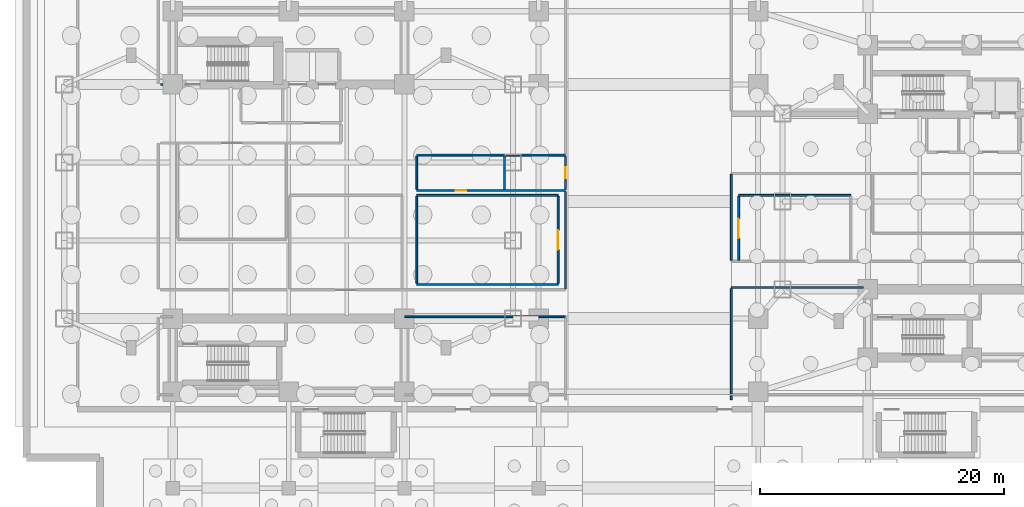
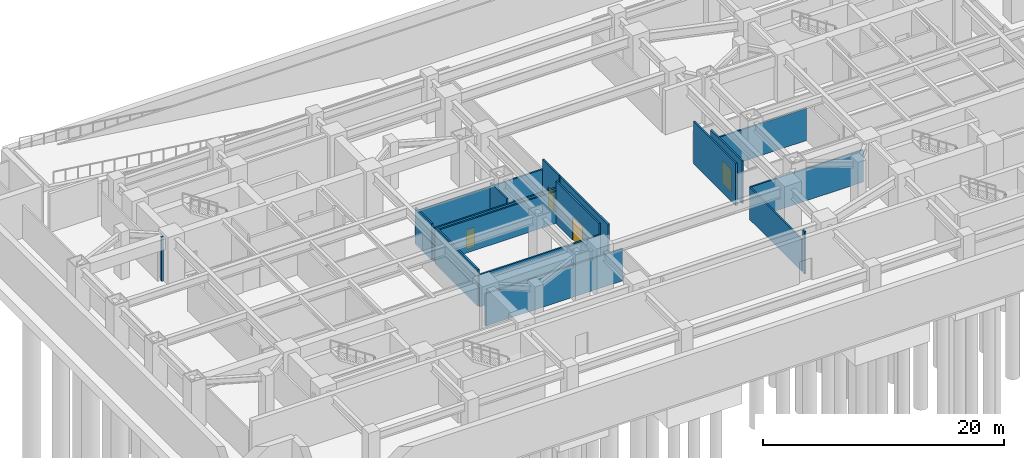
# One storey, part 7 of 16: 18 walls, 4 doors, 4 openings.
"""IFC4 building model written with IfcOpenShell, lengths in metres."""

from ifc_helpers import new_model, si_unit, direction, frame, frame_2d, origin, place, context, subcontext, project, spatial, rectangle, extrude, material, layer, layer_set, type_object, element, fill, save


model = new_model("IFC4")

# Units and contexts
model_context = context("Model", 3, precision=1e-05, world=origin(), true_north=direction((0.0, 1.0)))
body_context = subcontext(model_context, "Body", "Model", "MODEL_VIEW")
ifc_project = project(units=[si_unit("LENGTHUNIT", "METRE"), si_unit("AREAUNIT", "SQUARE_METRE"), si_unit("VOLUMEUNIT", "CUBIC_METRE"), si_unit("PLANEANGLEUNIT", "RADIAN"), si_unit("MASSUNIT", "GRAM", prefix="KILO")], contexts=[model_context])

# Site, building, storey
site_placement = place(None, origin())
site = spatial("IfcSite", under=ifc_project, at=site_placement, CompositionType="ELEMENT")
building_placement = place(site_placement, origin())
building = spatial("IfcBuilding", under=site, at=building_placement, Name="Mirazonda Arch Towers", CompositionType="ELEMENT")
storey_placement = place(building_placement, frame((0.0, 0.0, -4.800048828125)))
storey = spatial("IfcBuildingStorey", under=building, at=storey_placement, Name="B1", CompositionType="ELEMENT", Elevation=-4.800048828125)

# Walls
ifc_material_1 = material(Name="Fire-Rated Gypsum Stud Partition")
ifc_layer_1 = layer(ifc_material_1, 0.14990234375, Name="WALL-PART-CORR-150")
ifc_layer_set_1 = layer_set([ifc_layer_1], Name="Fire-Rated Gypsum Stud Partition")
wall_type_1 = type_object("IfcWallType", Name="WALL-PART-CORR-150", PredefinedType="PARTITIONING", material=ifc_layer_set_1)
wall_1_placement = place(storey_placement, frame((30.02001953125, 18.550048828125, 0.0), z_axis=(0.0, 0.0, 1.0), x_axis=(1.0, 0.0, 0.0)))
element("IfcWall", 1, at=wall_1_placement, inside=storey, type_object=wall_type_1, Name="B1 Interior Partition 011", PredefinedType="PARTITIONING", context=body_context, shape_type="SweptSolid", body=[
    extrude(rectangle(XDim=13.179931640625, YDim=0.14990234375, at=frame_2d((6.58984375, 0.0))), origin(), (0.0, 0.0, 1.0), 3.251953125),
])
wall_2_placement = place(storey_placement, frame((56.800048828125, 20.949951171875, 0.0), z_axis=(0.0, 0.0, 1.0), x_axis=(1.0, 0.0, 0.0)))
element("IfcWall", 2, at=wall_2_placement, inside=storey, type_object=wall_type_1, Name="B1 Interior Partition 014", PredefinedType="PARTITIONING", context=body_context, shape_type="SweptSolid", body=[
    extrude(rectangle(XDim=10.829833984375, YDim=0.14990234375, at=frame_2d((5.4150390625, 0.0))), origin(), (0.0, 0.0, 1.0), 3.251953125),
])
for number, where, z_axis, x_axis, name in (
    (3, (31.0, 21.199951171875, 0.0), (0.0, 0.0, 1.0), (1.0, 0.0, 0.0), "B1 Interior Partition 016"),
    (4, (31.0, 28.5, 0.0), (0.0, 0.0, 1.0), (1.0, 0.0, 0.0), "B1 Interior Partition 021"),
):
    element("IfcWall", number, at=place(storey_placement, frame(where, z_axis=z_axis, x_axis=x_axis)), inside=storey, type_object=wall_type_1, Name=name, PredefinedType="PARTITIONING", context=body_context, shape_type="SweptSolid", body=[
        extrude(rectangle(XDim=11.60009765625, YDim=0.14990234375, at=frame_2d((5.800048828125, 0.0))), origin(), (0.0, 0.0, 1.0), 3.251953125),
    ])
wall_3_placement = place(storey_placement, frame((57.39990234375, 28.5, 0.0), z_axis=(0.0, 0.0, 1.0), x_axis=(1.0, 0.0, 0.0)))
element("IfcWall", 5, at=wall_3_placement, inside=storey, type_object=wall_type_1, Name="B1 Interior Partition 022", PredefinedType="PARTITIONING", context=body_context, shape_type="SweptSolid", body=[
    extrude(rectangle(XDim=9.2001953125, YDim=0.14990234375, at=frame_2d((4.60009765625, 0.0))), origin(), (0.0, 0.0, 1.0), 3.251953125),
])

# Wall, opening, door
wall_4_placement = place(storey_placement, frame((31.0, 28.89990234375, 0.0), z_axis=(0.0, 0.0, 1.0), x_axis=(1.0, 0.0, 0.0)))
wall_4 = element("IfcWall", 6, at=wall_4_placement, inside=storey, type_object=wall_type_1, Name="B1 Interior Partition 023", PredefinedType="PARTITIONING", context=body_context, shape_type="SweptSolid", body=[
    extrude(rectangle(XDim=12.199951171875, YDim=0.14990234375, at=frame_2d((6.10009765625, 0.0))), origin(), (0.0, 0.0, 1.0), 3.251953125),
])
opening_1_placement = place(wall_4_placement, frame((3.195068359375, 0.0, 0.0)))
opening_1 = element("IfcOpeningElement", 7, at=opening_1_placement, cuts=wall_4, Name="Opening DR-128", PredefinedType="OPENING", context=body_context, shape_type="SweptSolid", body=[
    extrude(rectangle(XDim=0.85009765625, YDim=2.010009765625, at=frame_2d((0.425048828125, 1.0048828125))), frame((0.0, 0.0849609375, 0.0), z_axis=(0.0, -1.0, 0.0), x_axis=(1.0, 0.0, 0.0)), (0.0, 0.0, 1.0), 0.169921875),
])
ifc_material_2 = material(Name="Architectural Brushed Steel S355", Category="steel")
door_type_1 = type_object("IfcDoorType", Name="DOOR-RISER-FD60-850", OperationType="NOTDEFINED", PredefinedType="DOOR", material=ifc_material_2)
door_1_placement = place(opening_1_placement, origin())
door_1 = element("IfcDoor", 8, at=door_1_placement, inside=storey, type_object=door_type_1, Name="B1 Basement Staff Changing & Gear Store Door", OperationType="SINGLE_SWING_RIGHT", OverallHeight=2.010009765625, OverallWidth=0.85009765625, PredefinedType="DOOR", context=body_context, shape_type="SweptSolid", body=[
    extrude(rectangle(XDim=0.85009765625, YDim=2.010009765625, at=frame_2d((0.425048828125, 1.0048828125))), frame((0.0, 0.02490234375, 0.0), z_axis=(0.0, -1.0, 0.0), x_axis=(1.0, 0.0, 0.0)), (0.0, 0.0, 1.0), 0.050048828125),
])
fill(opening_1, door_1)

# Walls
wall_5_placement = place(storey_placement, frame((31.0, 31.800048828125, 0.0), z_axis=(0.0, 0.0, 1.0), x_axis=(1.0, 0.0, 0.0)))
element("IfcWall", 9, at=wall_5_placement, inside=storey, type_object=wall_type_1, Name="B1 Interior Partition 027", PredefinedType="PARTITIONING", context=body_context, shape_type="SweptSolid", body=[
    extrude(rectangle(XDim=12.199951171875, YDim=0.14990234375, at=frame_2d((6.10009765625, 0.0))), origin(), (0.0, 0.0, 1.0), 3.251953125),
])
wall_6_placement = place(storey_placement, frame((31.0, 21.284912109375, 0.0), z_axis=(0.0, 0.0, 1.0), x_axis=(0.0, 1.0, 0.0)))
element("IfcWall", 10, at=wall_6_placement, inside=storey, type_object=wall_type_1, Name="B1 Interior Partition 059", PredefinedType="PARTITIONING", context=body_context, shape_type="SweptSolid", body=[
    extrude(rectangle(XDim=7.130126953125, YDim=0.14990234375, at=frame_2d((3.56494140625, 0.0))), origin(), (0.0, 0.0, 1.0), 3.698974609375),
])
for number, where, z_axis, x_axis, name in (
    (11, (31.0, 28.985107421875, 0.0), (0.0, 0.0, 1.0), (0.0, 1.0, 0.0), "B1 Interior Partition 060"),
    (12, (38.199951171875, 28.985107421875, 0.0), (0.0, 0.0, 1.0), (0.0, 1.0, 0.0), "B1 Interior Partition 061"),
):
    element("IfcWall", number, at=place(storey_placement, frame(where, z_axis=z_axis, x_axis=x_axis)), inside=storey, type_object=wall_type_1, Name=name, PredefinedType="PARTITIONING", context=body_context, shape_type="SweptSolid", body=[
        extrude(rectangle(XDim=2.72998046875, YDim=0.14990234375, at=frame_2d((1.364990234375, 0.0))), origin(), (0.0, 0.0, 1.0), 3.698974609375),
    ])

# Wall, opening, door
wall_7_placement = place(storey_placement, frame((42.60009765625, 21.284912109375, 0.0), z_axis=(0.0, 0.0, 1.0), x_axis=(0.0, 1.0, 0.0)))
wall_7 = element("IfcWall", 13, at=wall_7_placement, inside=storey, type_object=wall_type_1, Name="B1 Interior Partition 062", PredefinedType="PARTITIONING", context=body_context, shape_type="SweptSolid", body=[
    extrude(rectangle(XDim=7.130126953125, YDim=0.14990234375, at=frame_2d((3.56494140625, 0.0))), origin(), (0.0, 0.0, 1.0), 4.300048828125),
])
opening_2_placement = place(wall_7_placement, frame((2.764892578125, 0.0, 0.0)))
opening_2 = element("IfcOpeningElement", 14, at=opening_2_placement, cuts=wall_7, Name="Opening DR-113", PredefinedType="OPENING", context=body_context, shape_type="SweptSolid", body=[
    extrude(rectangle(XDim=1.60009765625, YDim=2.300048828125, at=frame_2d((0.800048828125, 1.14990234375))), frame((0.0, 0.0849609375, 0.0), z_axis=(0.0, -1.0, 0.0), x_axis=(1.0, 0.0, 0.0)), (0.0, 0.0, 1.0), 0.169921875),
])
door_type_2 = type_object("IfcDoorType", Name="DOOR-PLANT-FD60-1600", OperationType="NOTDEFINED", PredefinedType="DOOR", material=ifc_material_2)
door_2_placement = place(opening_2_placement, origin())
door_2 = element("IfcDoor", 15, at=door_2_placement, inside=storey, type_object=door_type_2, Name="B1 Fire Pump & Wet Standpipe Tank Room Door", OperationType="SINGLE_SWING_RIGHT", OverallHeight=2.300048828125, OverallWidth=1.60009765625, PredefinedType="DOOR", context=body_context, shape_type="SweptSolid", body=[
    extrude(rectangle(XDim=1.60009765625, YDim=2.300048828125, at=frame_2d((0.800048828125, 1.14990234375))), frame((0.0, 0.02490234375, 0.0), z_axis=(0.0, -1.0, 0.0), x_axis=(1.0, 0.0, 0.0)), (0.0, 0.0, 1.0), 0.050048828125),
])
fill(opening_2, door_2)

# Wall
wall_8_placement = place(storey_placement, frame((43.199951171875, 20.8349609375, 0.0), z_axis=(0.0, 0.0, 1.0), x_axis=(0.0, 1.0, 0.0)))
element("IfcWall", 16, at=wall_8_placement, inside=storey, type_object=wall_type_1, Name="B1 Interior Partition 065", PredefinedType="PARTITIONING", context=body_context, shape_type="SweptSolid", body=[
    extrude(rectangle(XDim=7.97998046875, YDim=0.14990234375, at=frame_2d((3.989990234375, 0.0))), origin(), (0.0, 0.0, 1.0), 4.300048828125),
])

# Wall, opening, door
wall_9_placement = place(storey_placement, frame((43.199951171875, 28.985107421875, 0.0), z_axis=(0.0, 0.0, 1.0), x_axis=(0.0, 1.0, 0.0)))
wall_9 = element("IfcWall", 17, at=wall_9_placement, inside=storey, type_object=wall_type_1, Name="B1 Interior Partition 066", PredefinedType="PARTITIONING", context=body_context, shape_type="SweptSolid", body=[
    extrude(rectangle(XDim=2.72998046875, YDim=0.14990234375, at=frame_2d((1.364990234375, 0.0))), origin(), (0.0, 0.0, 1.0), 4.300048828125),
])
opening_3_placement = place(wall_9_placement, frame((0.9150390625, 0.0, 0.0)))
opening_3 = element("IfcOpeningElement", 18, at=opening_3_placement, cuts=wall_9, Name="Opening DR-120", PredefinedType="OPENING", context=body_context, shape_type="SweptSolid", body=[
    extrude(rectangle(XDim=0.89990234375, YDim=2.10009765625, at=frame_2d((0.449951171875, 1.050048828125))), frame((0.0, 0.0849609375, 0.0), z_axis=(0.0, -1.0, 0.0), x_axis=(1.0, 0.0, 0.0)), (0.0, 0.0, 1.0), 0.169921875),
])
door_type_3 = type_object("IfcDoorType", Name="DOOR-WC-900", OperationType="NOTDEFINED", PredefinedType="DOOR", material=ifc_material_2)
door_3_placement = place(opening_3_placement, origin())
door_3 = element("IfcDoor", 19, at=door_3_placement, inside=storey, type_object=door_type_3, Name="B1 Basement Staff Accessible WC Door", OperationType="SINGLE_SWING_LEFT", OverallHeight=2.10009765625, OverallWidth=0.89990234375, PredefinedType="DOOR", context=body_context, shape_type="SweptSolid", body=[
    extrude(rectangle(XDim=0.89990234375, YDim=2.10009765625, at=frame_2d((0.449951171875, 1.050048828125))), frame((0.0, 0.02490234375, 0.0), z_axis=(0.0, -1.0, 0.0), x_axis=(1.0, 0.0, 0.0)), (0.0, 0.0, 1.0), 0.050048828125),
])
fill(opening_3, door_3)

# Walls
wall_10_placement = place(storey_placement, frame((56.800048828125, 11.75, 0.0), z_axis=(0.0, 0.0, 1.0), x_axis=(0.0, 1.0, 0.0)))
element("IfcWall", 20, at=wall_10_placement, inside=storey, type_object=wall_type_1, Name="B1 Interior Partition 068", PredefinedType="PARTITIONING", context=body_context, shape_type="SweptSolid", body=[
    extrude(rectangle(XDim=0.31494140625, YDim=0.14990234375, at=frame_2d((0.157470703125, 0.0))), origin(), (0.0, 0.0, 1.0), 4.300048828125),
])
wall_11_placement = place(storey_placement, frame((56.800048828125, 12.235107421875, 0.0), z_axis=(0.0, 0.0, 1.0), x_axis=(0.0, 1.0, 0.0)))
element("IfcWall", 21, at=wall_11_placement, inside=storey, type_object=wall_type_1, Name="B1 Interior Partition 069", PredefinedType="PARTITIONING", context=body_context, shape_type="SweptSolid", body=[
    extrude(rectangle(XDim=8.6298828125, YDim=0.14990234375, at=frame_2d((4.31494140625, 0.0))), origin(), (0.0, 0.0, 1.0), 3.251953125),
])
wall_12_placement = place(storey_placement, frame((56.800048828125, 23.18505859375, 0.0), z_axis=(0.0, 0.0, 1.0), x_axis=(0.0, 1.0, 0.0)))
element("IfcWall", 22, at=wall_12_placement, inside=storey, type_object=wall_type_1, Name="B1 Interior Partition 070", PredefinedType="PARTITIONING", context=body_context, shape_type="SweptSolid", body=[
    extrude(rectangle(XDim=7.030029296875, YDim=0.14990234375, at=frame_2d((3.51513671875, 0.0))), origin(), (0.0, 0.0, 1.0), 4.300048828125),
])

# Wall, opening, door
wall_13_placement = place(storey_placement, frame((57.39990234375, 23.18505859375, 0.0), z_axis=(0.0, 0.0, 1.0), x_axis=(0.0, 1.0, 0.0)))
wall_13 = element("IfcWall", 23, at=wall_13_placement, inside=storey, type_object=wall_type_1, Name="B1 Interior Partition 072", PredefinedType="PARTITIONING", context=body_context, shape_type="SweptSolid", body=[
    extrude(rectangle(XDim=5.22998046875, YDim=0.14990234375, at=frame_2d((2.614990234375, 0.0))), origin(), (0.0, 0.0, 1.0), 4.300048828125),
])
opening_4_placement = place(wall_13_placement, frame((1.81494140625, 0.0, 0.0)))
opening_4 = element("IfcOpeningElement", 24, at=opening_4_placement, cuts=wall_13, Name="Opening DR-113", PredefinedType="OPENING", context=body_context, shape_type="SweptSolid", body=[
    extrude(rectangle(XDim=1.60009765625, YDim=2.300048828125, at=frame_2d((0.800048828125, 1.14990234375))), frame((0.0, 0.0849609375, 0.0), z_axis=(0.0, -1.0, 0.0), x_axis=(1.0, 0.0, 0.0)), (0.0, 0.0, 1.0), 0.169921875),
])
door_4_placement = place(opening_4_placement, origin())
door_4 = element("IfcDoor", 25, at=door_4_placement, inside=storey, type_object=door_type_2, Name="B1 Domestic Potable Water Cistern & Booster Hall Door", OperationType="SINGLE_SWING_LEFT", OverallHeight=2.300048828125, OverallWidth=1.60009765625, PredefinedType="DOOR", context=body_context, shape_type="SweptSolid", body=[
    extrude(rectangle(XDim=1.60009765625, YDim=2.300048828125, at=frame_2d((0.800048828125, 1.14990234375))), frame((0.0, 0.02490234375, 0.0), z_axis=(0.0, -1.0, 0.0), x_axis=(1.0, 0.0, 0.0)), (0.0, 0.0, 1.0), 0.050048828125),
])
fill(opening_4, door_4)

# Wall
ifc_material_3 = material(Name="Concrete C50/60", Category="concrete")
ifc_layer_2 = layer(ifc_material_3, 0.18505859375, Name="WALL-STAIR-CORE-185")
ifc_layer_set_2 = layer_set([ifc_layer_2], Name="Concrete C50/60")
wall_type_2 = type_object("IfcWallType", Name="WALL-STAIR-CORE-185", PredefinedType="SHEAR", material=ifc_layer_set_2)
wall_14_placement = place(storey_placement, frame((10.0, 37.60009765625, 0.0), z_axis=(0.0, 0.0, 1.0), x_axis=(1.0, 0.0, 0.0)))
element("IfcWall", 26, at=wall_14_placement, inside=storey, type_object=wall_type_2, Name="B1 Stair Core Shear Wall 033", PredefinedType="SHEAR", context=body_context, shape_type="SweptSolid", body=[
    extrude(rectangle(XDim=0.18505859375, YDim=0.18505859375, at=frame_2d((0.092529296875, 0.0))), origin(), (0.0, 0.0, 1.0), 4.47998046875),
])

save(model, "model.ifc")
